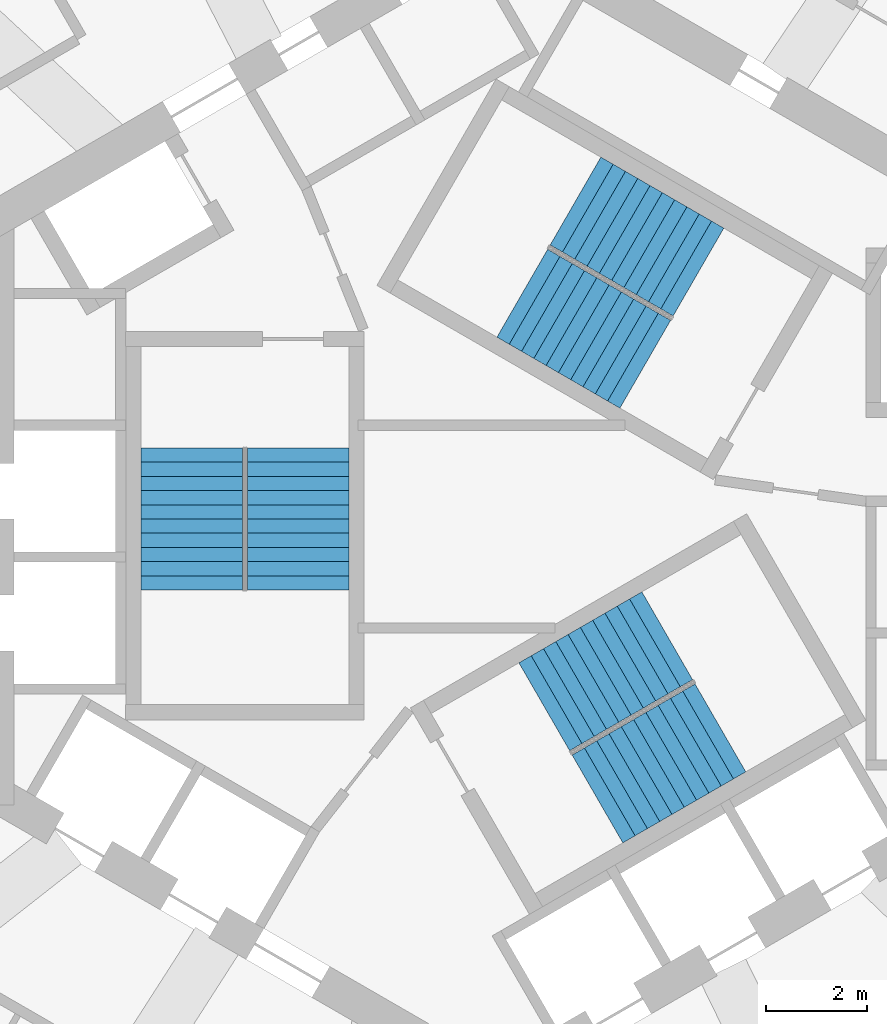
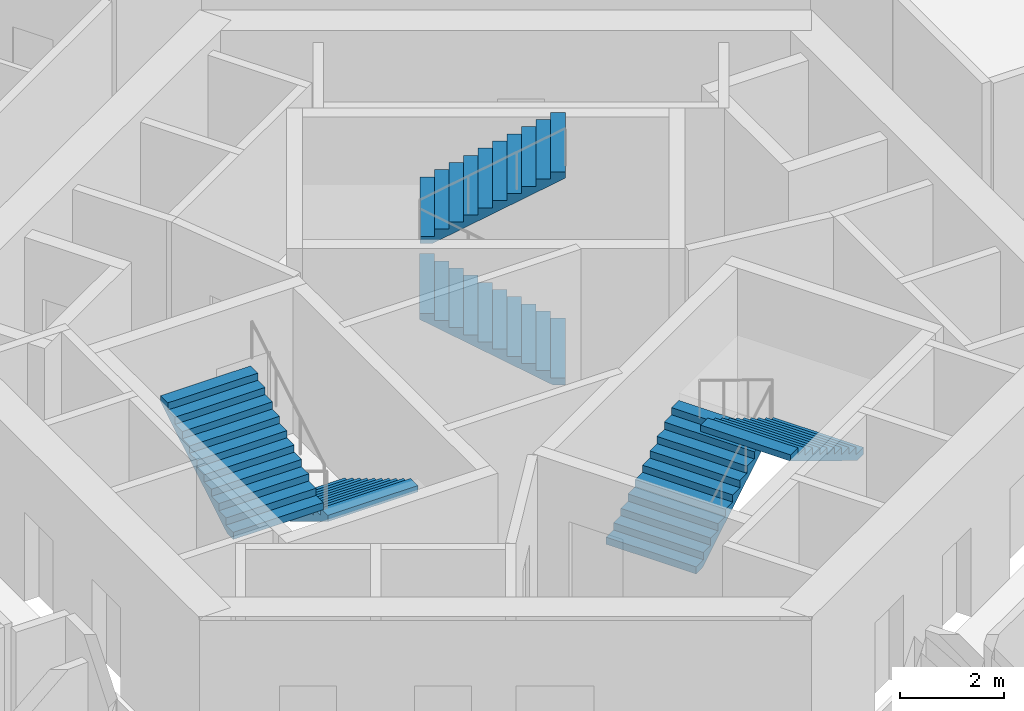
# One storey, part 9 of 11: 6 stair flights, 3 elements without a shape of their own.
"""IFC4 building model written with IfcOpenShell, lengths in metres."""

from ifc_helpers import new_model, si_unit, direction, frame, origin, place, context, subcontext, project, spatial, triangles, source, transform, mapped, material, type_object, element, aggregate, save


model = new_model("IFC4")

# Units and contexts
model_context = context("Model", 3, precision=1e-05, world=origin(), true_north=direction((0.0, 1.0)))
body_context = subcontext(model_context, "Body", "Model", "MODEL_VIEW")
ifc_project = project(units=[si_unit("LENGTHUNIT", "METRE"), si_unit("AREAUNIT", "SQUARE_METRE"), si_unit("VOLUMEUNIT", "CUBIC_METRE"), si_unit("PLANEANGLEUNIT", "RADIAN"), si_unit("MASSUNIT", "GRAM", prefix="KILO")], contexts=[model_context])

# Site, building, storey
site_placement = place(None, origin())
site = spatial("IfcSite", under=ifc_project, at=site_placement, CompositionType="ELEMENT")
building_placement = place(site_placement, origin())
building = spatial("IfcBuilding", under=site, at=building_placement, Name="Vanh Sen Convention Tower", CompositionType="ELEMENT")
storey_placement = place(building_placement, frame((0.0, 0.0, 270.89990234375)))
storey = spatial("IfcBuildingStorey", under=building, at=storey_placement, Name="L67", CompositionType="ELEMENT", Elevation=270.89990234375)

# Stair, stair flights
ifc_material_1 = material(Name="Concrete C50/60", Category="concrete")
stair_type_1 = type_object("IfcStairType", Name="Exit stair ST1 22 risers at 168.2", PredefinedType="HALF_TURN_STAIR", material=ifc_material_1)
stair_1_placement = place(storey_placement, origin())
stair_1 = element("IfcStair", 1, at=stair_1_placement, inside=storey, type_object=stair_type_1, Name="Exit stair ST1 L67", PredefinedType="HALF_TURN_STAIR")
ifc_material_2 = material(Name="Concrete C40/50", Category="concrete")
stair_flight_type = type_object("IfcStairFlightType", Name="Stair flight 2000", PredefinedType="STRAIGHT", material=ifc_material_2)
shared_shape = source(origin(), body_context, "Body", "Tessellation", [
    triangles([(0.24267578125, 1.0, 0.0), (0.0, 1.0, 0.0), (0.0, 1.0, 0.168212890625), (0.280029296875, 1.0, 0.168212890625), (0.280029296875, 1.0, 0.33642578125), (0.56005859375, 1.0, 0.33642578125), (0.56005859375, 1.0, 0.504638671875), (0.840087890625, 1.0, 0.504638671875), (0.840087890625, 1.0, 0.672607421875), (1.1201171875, 1.0, 0.672607421875), (1.1201171875, 1.0, 0.8408203125), (1.39990234375, 1.0, 0.8408203125), (1.39990234375, 1.0, 1.009033203125), (1.679931640625, 1.0, 1.009033203125), (1.679931640625, 1.0, 1.17724609375), (1.9599609375, 1.0, 1.17724609375), (1.9599609375, 1.0, 1.345458984375), (2.239990234375, 1.0, 1.345458984375), (2.239990234375, 1.0, 1.513671875), (2.52001953125, 1.0, 1.513671875), (2.52001953125, 1.0, 1.681884765625), (2.800048828125, 1.0, 1.681884765625), (2.800048828125, 1.0, 1.535888671875), (0.24267578125, -1.0, 0.0), (0.0, -1.0, 0.0), (0.0, -1.0, 0.168212890625), (0.280029296875, -1.0, 0.168212890625), (0.280029296875, -1.0, 0.33642578125), (0.56005859375, -1.0, 0.33642578125), (0.56005859375, -1.0, 0.504638671875), (0.840087890625, -1.0, 0.504638671875), (0.840087890625, -1.0, 0.672607421875), (1.1201171875, -1.0, 0.672607421875), (1.1201171875, -1.0, 0.8408203125), (1.39990234375, -1.0, 0.8408203125), (1.39990234375, -1.0, 1.009033203125), (1.679931640625, -1.0, 1.009033203125), (1.679931640625, -1.0, 1.17724609375), (1.9599609375, -1.0, 1.17724609375), (1.9599609375, -1.0, 1.345458984375), (2.239990234375, -1.0, 1.345458984375), (2.239990234375, -1.0, 1.513671875), (2.52001953125, -1.0, 1.513671875), (2.52001953125, -1.0, 1.681884765625), (2.800048828125, -1.0, 1.681884765625), (2.800048828125, -1.0, 1.535888671875), (0.0, 0.0400390625, 0.0), (0.0, 0.0390625, 0.0), (0.0, 0.0380859375, 0.0), (0.0, 0.037109375, 0.0), (0.0, 0.035888671875, 0.0), (0.0, 0.034912109375, 0.0), (0.0, 0.033935546875, 0.0), (0.0, 0.032958984375, 0.0), (0.0, 0.031982421875, 0.0), (0.0, 0.031005859375, 0.0), (0.0, 0.030029296875, 0.0), (0.0, 0.029052734375, 0.0), (0.0, 0.028076171875, 0.0), (0.0, 0.027099609375, 0.0), (0.0, 0.02587890625, 0.0), (0.0, 0.02490234375, 0.0), (0.0, 0.02392578125, 0.0), (0.0, 0.02294921875, 0.0), (0.0, 0.02197265625, 0.0), (0.0, 0.02099609375, 0.0), (0.0, 0.02001953125, 0.0), (0.0, 0.01904296875, 0.0), (0.0, 0.01806640625, 0.0), (0.0, 0.01708984375, 0.0), (0.0, 0.01611328125, 0.0), (0.0, 0.014892578125, 0.0), (0.0, 0.013916015625, 0.0), (0.0, 0.012939453125, 0.0), (0.0, 0.011962890625, 0.0), (0.0, 0.010986328125, 0.0), (0.0, 0.010009765625, 0.0), (0.0, 0.009033203125, 0.0), (0.0, 0.008056640625, 0.0), (0.0, 0.007080078125, 0.0), (0.0, 0.006103515625, 0.0), (0.0, 0.0048828125, 0.0), (0.0, 0.00390625, 0.0), (0.0, 0.0029296875, 0.0), (0.0, 0.001953125, 0.0), (0.0, 0.0009765625, 0.0), (0.0, 0.0, 0.0), (0.0, -0.0009765625, 0.0), (0.0, -0.001953125, 0.0), (0.0, -0.0029296875, 0.0), (0.0, -0.00390625, 0.0), (0.0, -0.0048828125, 0.0), (0.0, -0.006103515625, 0.0), (0.0, -0.007080078125, 0.0), (0.0, -0.008056640625, 0.0), (0.0, -0.009033203125, 0.0), (0.0, -0.010009765625, 0.0), (0.0, -0.010986328125, 0.0), (0.0, -0.011962890625, 0.0), (0.0, -0.012939453125, 0.0), (0.0, -0.013916015625, 0.0), (0.0, -0.014892578125, 0.0), (0.0, -0.01611328125, 0.0), (0.0, -0.01708984375, 0.0), (0.0, -0.01806640625, 0.0), (0.0, -0.01904296875, 0.0), (0.0, -0.02001953125, 0.0), (0.0, -0.02099609375, 0.0), (0.0, -0.02197265625, 0.0), (0.0, -0.02294921875, 0.0), (0.0, -0.02392578125, 0.0), (0.0, -0.02490234375, 0.0), (0.0, -0.02587890625, 0.0), (0.0, -0.027099609375, 0.0), (0.0, -0.028076171875, 0.0), (0.0, -0.029052734375, 0.0), (0.0, -0.030029296875, 0.0), (0.0, -0.031005859375, 0.0), (0.0, -0.031982421875, 0.0), (0.0, -0.032958984375, 0.0), (0.0, -0.033935546875, 0.0), (0.0, -0.034912109375, 0.0), (0.0, -0.035888671875, 0.0), (0.0, -0.037109375, 0.0), (0.0, -0.0380859375, 0.0), (0.0, -0.0390625, 0.0), (0.0, -0.0400390625, 0.0), (0.0, 0.0400390625, 0.168212890625), (0.0, 0.0390625, 0.168212890625), (0.0, 0.0380859375, 0.168212890625), (0.0, 0.037109375, 0.168212890625), (0.0, 0.035888671875, 0.168212890625), (0.0, 0.034912109375, 0.168212890625), (0.0, 0.033935546875, 0.168212890625), (0.0, 0.032958984375, 0.168212890625), (0.0, 0.031982421875, 0.168212890625), (0.0, 0.031005859375, 0.168212890625), (0.0, 0.030029296875, 0.168212890625), (0.0, 0.029052734375, 0.168212890625), (0.0, 0.028076171875, 0.168212890625), (0.0, 0.027099609375, 0.168212890625), (0.0, 0.02587890625, 0.168212890625), (0.0, 0.02490234375, 0.168212890625), (0.0, 0.02392578125, 0.168212890625), (0.0, 0.02294921875, 0.168212890625), (0.0, 0.02197265625, 0.168212890625), (0.0, 0.02099609375, 0.168212890625), (0.0, 0.02001953125, 0.168212890625), (0.0, 0.01904296875, 0.168212890625), (0.0, 0.01806640625, 0.168212890625), (0.0, 0.01708984375, 0.168212890625), (0.0, 0.01611328125, 0.168212890625), (0.0, 0.014892578125, 0.168212890625), (0.0, 0.013916015625, 0.168212890625), (0.0, 0.012939453125, 0.168212890625), (0.0, 0.011962890625, 0.168212890625), (0.0, 0.010986328125, 0.168212890625), (0.0, 0.010009765625, 0.168212890625), (0.0, 0.009033203125, 0.168212890625), (0.0, 0.008056640625, 0.168212890625), (0.0, 0.007080078125, 0.168212890625), (0.0, 0.006103515625, 0.168212890625), (0.0, 0.0048828125, 0.168212890625), (0.0, 0.00390625, 0.168212890625), (0.0, 0.0029296875, 0.168212890625), (0.0, 0.001953125, 0.168212890625), (0.0, 0.0009765625, 0.168212890625), (0.0, 0.0, 0.168212890625), (0.0, -0.0009765625, 0.168212890625), (0.0, -0.001953125, 0.168212890625), (0.0, -0.0029296875, 0.168212890625), (0.0, -0.00390625, 0.168212890625), (0.0, -0.0048828125, 0.168212890625), (0.0, -0.006103515625, 0.168212890625), (0.0, -0.007080078125, 0.168212890625), (0.0, -0.008056640625, 0.168212890625), (0.0, -0.009033203125, 0.168212890625), (0.0, -0.010009765625, 0.168212890625), (0.0, -0.010986328125, 0.168212890625), (0.0, -0.011962890625, 0.168212890625), (0.0, -0.012939453125, 0.168212890625), (0.0, -0.013916015625, 0.168212890625), (0.0, -0.014892578125, 0.168212890625), (0.0, -0.01611328125, 0.168212890625), (0.0, -0.01708984375, 0.168212890625), (0.0, -0.01806640625, 0.168212890625), (0.0, -0.01904296875, 0.168212890625), (0.0, -0.02001953125, 0.168212890625), (0.0, -0.02099609375, 0.168212890625), (0.0, -0.02197265625, 0.168212890625), (0.0, -0.02294921875, 0.168212890625), (0.0, -0.02392578125, 0.168212890625), (0.0, -0.02490234375, 0.168212890625), (0.0, -0.02587890625, 0.168212890625), (0.0, -0.027099609375, 0.168212890625), (0.0, -0.028076171875, 0.168212890625), (0.0, -0.029052734375, 0.168212890625), (0.0, -0.030029296875, 0.168212890625), (0.0, -0.031005859375, 0.168212890625), (0.0, -0.031982421875, 0.168212890625), (0.0, -0.032958984375, 0.168212890625), (0.0, -0.033935546875, 0.168212890625), (0.0, -0.034912109375, 0.168212890625), (0.0, -0.035888671875, 0.168212890625), (0.0, -0.037109375, 0.168212890625), (0.0, -0.0380859375, 0.168212890625), (0.0, -0.0390625, 0.168212890625), (0.0, -0.0400390625, 0.168212890625), (0.280029296875, 0.0, 0.168212890625), (0.280029296875, 0.0, 0.33642578125), (0.56005859375, 0.0, 0.33642578125), (0.56005859375, 0.0, 0.504638671875), (0.840087890625, 0.0, 0.504638671875), (0.840087890625, 0.0, 0.672607421875), (1.1201171875, 0.0, 0.672607421875), (1.1201171875, 0.0, 0.8408203125), (1.39990234375, 0.0, 0.8408203125), (1.39990234375, 0.0, 1.009033203125), (1.679931640625, 0.0, 1.009033203125), (1.679931640625, 0.0, 1.17724609375), (1.9599609375, 0.0, 1.17724609375), (1.9599609375, 0.0, 1.345458984375), (2.239990234375, 0.0, 1.345458984375), (2.239990234375, 0.0, 1.513671875), (2.52001953125, 0.0, 1.513671875), (2.52001953125, 0.0, 1.681884765625), (2.800048828125, 0.0400390625, 1.681884765625), (2.800048828125, 0.0390625, 1.681884765625), (2.800048828125, 0.0380859375, 1.681884765625), (2.800048828125, 0.037109375, 1.681884765625), (2.800048828125, 0.035888671875, 1.681884765625), (2.800048828125, 0.034912109375, 1.681884765625), (2.800048828125, 0.033935546875, 1.681884765625), (2.800048828125, 0.032958984375, 1.681884765625), (2.800048828125, 0.031982421875, 1.681884765625), (2.800048828125, 0.031005859375, 1.681884765625), (2.800048828125, 0.030029296875, 1.681884765625), (2.800048828125, 0.029052734375, 1.681884765625), (2.800048828125, 0.028076171875, 1.681884765625), (2.800048828125, 0.027099609375, 1.681884765625), (2.800048828125, 0.02587890625, 1.681884765625), (2.800048828125, 0.02490234375, 1.681884765625), (2.800048828125, 0.02392578125, 1.681884765625), (2.800048828125, 0.02294921875, 1.681884765625), (2.800048828125, 0.02197265625, 1.681884765625), (2.800048828125, 0.02099609375, 1.681884765625), (2.800048828125, 0.02001953125, 1.681884765625), (2.800048828125, 0.01904296875, 1.681884765625), (2.800048828125, 0.01806640625, 1.681884765625), (2.800048828125, 0.01708984375, 1.681884765625), (2.800048828125, 0.01611328125, 1.681884765625), (2.800048828125, 0.014892578125, 1.681884765625), (2.800048828125, 0.013916015625, 1.681884765625), (2.800048828125, 0.012939453125, 1.681884765625), (2.800048828125, 0.011962890625, 1.681884765625), (2.800048828125, 0.010986328125, 1.681884765625), (2.800048828125, 0.010009765625, 1.681884765625), (2.800048828125, 0.009033203125, 1.681884765625), (2.800048828125, 0.008056640625, 1.681884765625), (2.800048828125, 0.007080078125, 1.681884765625), (2.800048828125, 0.006103515625, 1.681884765625), (2.800048828125, 0.0048828125, 1.681884765625), (2.800048828125, 0.00390625, 1.681884765625), (2.800048828125, 0.0029296875, 1.681884765625), (2.800048828125, 0.001953125, 1.681884765625), (2.800048828125, 0.0009765625, 1.681884765625), (2.800048828125, 0.0, 1.681884765625), (2.800048828125, -0.0009765625, 1.681884765625), (2.800048828125, -0.001953125, 1.681884765625), (2.800048828125, -0.0029296875, 1.681884765625), (2.800048828125, -0.00390625, 1.681884765625), (2.800048828125, -0.0048828125, 1.681884765625), (2.800048828125, -0.006103515625, 1.681884765625), (2.800048828125, -0.007080078125, 1.681884765625), (2.800048828125, -0.008056640625, 1.681884765625), (2.800048828125, -0.009033203125, 1.681884765625), (2.800048828125, -0.010009765625, 1.681884765625), (2.800048828125, -0.010986328125, 1.681884765625), (2.800048828125, -0.011962890625, 1.681884765625), (2.800048828125, -0.012939453125, 1.681884765625), (2.800048828125, -0.013916015625, 1.681884765625), (2.800048828125, -0.014892578125, 1.681884765625), (2.800048828125, -0.01611328125, 1.681884765625), (2.800048828125, -0.01708984375, 1.681884765625), (2.800048828125, -0.01806640625, 1.681884765625), (2.800048828125, -0.01904296875, 1.681884765625), (2.800048828125, -0.02001953125, 1.681884765625), (2.800048828125, -0.02099609375, 1.681884765625), (2.800048828125, -0.02197265625, 1.681884765625), (2.800048828125, -0.02294921875, 1.681884765625), (2.800048828125, -0.02392578125, 1.681884765625), (2.800048828125, -0.02490234375, 1.681884765625), (2.800048828125, -0.02587890625, 1.681884765625), (2.800048828125, -0.027099609375, 1.681884765625), (2.800048828125, -0.028076171875, 1.681884765625), (2.800048828125, -0.029052734375, 1.681884765625), (2.800048828125, -0.030029296875, 1.681884765625), (2.800048828125, -0.031005859375, 1.681884765625), (2.800048828125, -0.031982421875, 1.681884765625), (2.800048828125, -0.032958984375, 1.681884765625), (2.800048828125, -0.033935546875, 1.681884765625), (2.800048828125, -0.034912109375, 1.681884765625), (2.800048828125, -0.035888671875, 1.681884765625), (2.800048828125, -0.037109375, 1.681884765625), (2.800048828125, -0.0380859375, 1.681884765625), (2.800048828125, -0.0390625, 1.681884765625), (2.800048828125, -0.0400390625, 1.681884765625), (2.800048828125, 0.0400390625, 1.535888671875), (2.800048828125, 0.0390625, 1.535888671875), (2.800048828125, 0.0380859375, 1.535888671875), (2.800048828125, 0.037109375, 1.535888671875), (2.800048828125, 0.035888671875, 1.535888671875), (2.800048828125, 0.034912109375, 1.535888671875), (2.800048828125, 0.033935546875, 1.535888671875), (2.800048828125, 0.032958984375, 1.535888671875), (2.800048828125, 0.031982421875, 1.535888671875), (2.800048828125, 0.031005859375, 1.535888671875), (2.800048828125, 0.030029296875, 1.535888671875), (2.800048828125, 0.029052734375, 1.535888671875), (2.800048828125, 0.028076171875, 1.535888671875), (2.800048828125, 0.027099609375, 1.535888671875), (2.800048828125, 0.02587890625, 1.535888671875), (2.800048828125, 0.02490234375, 1.535888671875), (2.800048828125, 0.02392578125, 1.535888671875), (2.800048828125, 0.02294921875, 1.535888671875), (2.800048828125, 0.02197265625, 1.535888671875), (2.800048828125, 0.02099609375, 1.535888671875), (2.800048828125, 0.02001953125, 1.535888671875), (2.800048828125, 0.01904296875, 1.535888671875), (2.800048828125, 0.01806640625, 1.535888671875), (2.800048828125, 0.01708984375, 1.535888671875), (2.800048828125, 0.01611328125, 1.535888671875), (2.800048828125, 0.014892578125, 1.535888671875), (2.800048828125, 0.013916015625, 1.535888671875), (2.800048828125, 0.012939453125, 1.535888671875), (2.800048828125, 0.011962890625, 1.535888671875), (2.800048828125, 0.010986328125, 1.535888671875), (2.800048828125, 0.010009765625, 1.535888671875), (2.800048828125, 0.009033203125, 1.535888671875), (2.800048828125, 0.008056640625, 1.535888671875), (2.800048828125, 0.007080078125, 1.535888671875), (2.800048828125, 0.006103515625, 1.535888671875), (2.800048828125, 0.0048828125, 1.535888671875), (2.800048828125, 0.00390625, 1.535888671875), (2.800048828125, 0.0029296875, 1.535888671875), (2.800048828125, 0.001953125, 1.535888671875), (2.800048828125, 0.0009765625, 1.535888671875), (2.800048828125, 0.0, 1.535888671875), (2.800048828125, -0.0009765625, 1.535888671875), (2.800048828125, -0.001953125, 1.535888671875), (2.800048828125, -0.0029296875, 1.535888671875), (2.800048828125, -0.00390625, 1.535888671875), (2.800048828125, -0.0048828125, 1.535888671875), (2.800048828125, -0.006103515625, 1.535888671875), (2.800048828125, -0.007080078125, 1.535888671875), (2.800048828125, -0.008056640625, 1.535888671875), (2.800048828125, -0.009033203125, 1.535888671875), (2.800048828125, -0.010009765625, 1.535888671875), (2.800048828125, -0.010986328125, 1.535888671875), (2.800048828125, -0.011962890625, 1.535888671875), (2.800048828125, -0.012939453125, 1.535888671875), (2.800048828125, -0.013916015625, 1.535888671875), (2.800048828125, -0.014892578125, 1.535888671875), (2.800048828125, -0.01611328125, 1.535888671875), (2.800048828125, -0.01708984375, 1.535888671875), (2.800048828125, -0.01806640625, 1.535888671875), (2.800048828125, -0.01904296875, 1.535888671875), (2.800048828125, -0.02001953125, 1.535888671875), (2.800048828125, -0.02099609375, 1.535888671875), (2.800048828125, -0.02197265625, 1.535888671875), (2.800048828125, -0.02294921875, 1.535888671875), (2.800048828125, -0.02392578125, 1.535888671875), (2.800048828125, -0.02490234375, 1.535888671875), (2.800048828125, -0.02587890625, 1.535888671875), (2.800048828125, -0.027099609375, 1.535888671875), (2.800048828125, -0.028076171875, 1.535888671875), (2.800048828125, -0.029052734375, 1.535888671875), (2.800048828125, -0.030029296875, 1.535888671875), (2.800048828125, -0.031005859375, 1.535888671875), (2.800048828125, -0.031982421875, 1.535888671875), (2.800048828125, -0.032958984375, 1.535888671875), (2.800048828125, -0.033935546875, 1.535888671875), (2.800048828125, -0.034912109375, 1.535888671875), (2.800048828125, -0.035888671875, 1.535888671875), (2.800048828125, -0.037109375, 1.535888671875), (2.800048828125, -0.0380859375, 1.535888671875), (2.800048828125, -0.0390625, 1.535888671875), (2.800048828125, -0.0400390625, 1.535888671875), (0.24267578125, 0.0, 0.0)], [[1, 2, 3], [1, 3, 4], [4, 5, 6], [1, 4, 6], [6, 7, 8], [1, 6, 8], [8, 9, 10], [1, 8, 10], [10, 11, 12], [1, 10, 12], [12, 13, 14], [1, 12, 14], [14, 15, 16], [1, 14, 16], [16, 17, 18], [1, 16, 18], [18, 19, 20], [1, 18, 20], [20, 21, 22], [1, 20, 22], [22, 23, 1], [24, 26, 25], [24, 27, 26], [27, 29, 28], [24, 29, 27], [29, 31, 30], [24, 31, 29], [31, 33, 32], [24, 33, 31], [33, 35, 34], [24, 35, 33], [35, 37, 36], [24, 37, 35], [37, 39, 38], [24, 39, 37], [39, 41, 40], [24, 41, 39], [41, 43, 42], [24, 43, 41], [43, 45, 44], [24, 45, 43], [45, 24, 46], [2, 128, 3], [2, 47, 128], [47, 129, 128], [47, 48, 129], [48, 130, 129], [48, 49, 130], [49, 131, 130], [49, 50, 131], [50, 132, 131], [50, 51, 132], [51, 133, 132], [51, 52, 133], [52, 134, 133], [52, 53, 134], [53, 135, 134], [53, 54, 135], [54, 136, 135], [54, 55, 136], [55, 137, 136], [55, 56, 137], [56, 138, 137], [56, 57, 138], [57, 139, 138], [57, 58, 139], [58, 140, 139], [58, 59, 140], [59, 141, 140], [59, 60, 141], [60, 142, 141], [60, 61, 142], [61, 143, 142], [61, 62, 143], [62, 144, 143], [62, 63, 144], [63, 145, 144], [63, 64, 145], [64, 146, 145], [64, 65, 146], [65, 147, 146], [65, 66, 147], [66, 148, 147], [66, 67, 148], [67, 149, 148], [67, 68, 149], [68, 150, 149], [68, 69, 150], [69, 151, 150], [69, 70, 151], [70, 152, 151], [70, 71, 152], [71, 153, 152], [71, 72, 153], [72, 154, 153], [72, 73, 154], [73, 155, 154], [73, 74, 155], [74, 156, 155], [74, 75, 156], [75, 157, 156], [75, 76, 157], [76, 158, 157], [76, 77, 158], [77, 159, 158], [77, 78, 159], [78, 160, 159], [78, 79, 160], [79, 161, 160], [79, 80, 161], [80, 162, 161], [80, 81, 162], [81, 163, 162], [81, 82, 163], [82, 164, 163], [82, 83, 164], [83, 165, 164], [83, 84, 165], [84, 166, 165], [84, 85, 166], [85, 167, 166], [85, 86, 167], [86, 168, 167], [86, 87, 168], [87, 88, 168], [168, 88, 169], [88, 89, 169], [169, 89, 170], [89, 90, 170], [170, 90, 171], [90, 91, 171], [171, 91, 172], [91, 92, 172], [172, 92, 173], [92, 93, 173], [173, 93, 174], [93, 94, 174], [174, 94, 175], [94, 95, 175], [175, 95, 176], [95, 96, 176], [176, 96, 177], [96, 97, 177], [177, 97, 178], [97, 98, 178], [178, 98, 179], [98, 99, 179], [179, 99, 180], [99, 100, 180], [180, 100, 181], [100, 101, 181], [181, 101, 182], [101, 102, 182], [182, 102, 183], [102, 103, 183], [183, 103, 184], [103, 104, 184], [184, 104, 185], [104, 105, 185], [185, 105, 186], [105, 106, 186], [186, 106, 187], [106, 107, 187], [187, 107, 188], [107, 108, 188], [188, 108, 189], [108, 109, 189], [189, 109, 190], [109, 110, 190], [190, 110, 191], [110, 111, 191], [191, 111, 192], [111, 112, 192], [192, 112, 193], [112, 113, 193], [193, 113, 194], [113, 114, 194], [194, 114, 195], [114, 115, 195], [195, 115, 196], [115, 116, 196], [196, 116, 197], [116, 117, 197], [197, 117, 198], [117, 118, 198], [198, 118, 199], [118, 119, 199], [199, 119, 200], [119, 120, 200], [200, 120, 201], [120, 121, 201], [201, 121, 202], [121, 122, 202], [202, 122, 203], [122, 123, 203], [203, 123, 204], [123, 124, 204], [204, 124, 205], [124, 125, 205], [205, 125, 206], [125, 126, 206], [206, 126, 207], [126, 127, 207], [207, 127, 208], [127, 25, 208], [208, 25, 26], [4, 3, 128], [4, 128, 129], [4, 129, 130], [4, 130, 131], [4, 131, 132], [4, 132, 133], [4, 133, 134], [4, 134, 135], [4, 135, 136], [4, 136, 137], [4, 137, 138], [4, 138, 139], [4, 139, 140], [4, 140, 141], [4, 141, 142], [4, 142, 143], [4, 143, 144], [4, 144, 145], [4, 145, 146], [4, 146, 147], [4, 147, 148], [4, 148, 149], [4, 149, 150], [4, 150, 151], [4, 151, 152], [4, 152, 153], [4, 153, 154], [4, 154, 155], [4, 155, 156], [4, 156, 157], [4, 157, 158], [4, 158, 159], [4, 159, 160], [4, 160, 161], [4, 161, 162], [4, 162, 163], [4, 163, 164], [4, 164, 165], [4, 165, 166], [4, 166, 167], [4, 167, 168], [27, 168, 169], [27, 169, 170], [27, 170, 171], [27, 171, 172], [27, 172, 173], [27, 173, 174], [27, 174, 175], [27, 175, 176], [27, 176, 177], [27, 177, 178], [27, 178, 179], [27, 179, 180], [27, 180, 181], [27, 181, 182], [27, 182, 183], [27, 183, 184], [27, 184, 185], [27, 185, 186], [27, 186, 187], [27, 187, 188], [27, 188, 189], [27, 189, 190], [27, 190, 191], [27, 191, 192], [27, 192, 193], [27, 193, 194], [27, 194, 195], [27, 195, 196], [27, 196, 197], [27, 197, 198], [27, 198, 199], [27, 199, 200], [27, 200, 201], [27, 201, 202], [27, 202, 203], [27, 203, 204], [27, 204, 205], [27, 205, 206], [27, 206, 207], [27, 207, 208], [27, 208, 26], [4, 168, 209], [27, 209, 168], [4, 210, 5], [4, 209, 210], [209, 27, 210], [210, 27, 28], [5, 211, 6], [5, 210, 211], [210, 28, 211], [211, 28, 29], [6, 212, 7], [6, 211, 212], [211, 29, 212], [212, 29, 30], [7, 213, 8], [7, 212, 213], [212, 30, 213], [213, 30, 31], [8, 214, 9], [8, 213, 214], [213, 31, 214], [214, 31, 32], [9, 215, 10], [9, 214, 215], [214, 32, 215], [215, 32, 33], [10, 216, 11], [10, 215, 216], [215, 33, 216], [216, 33, 34], [11, 217, 12], [11, 216, 217], [216, 34, 217], [217, 34, 35], [12, 218, 13], [12, 217, 218], [217, 35, 218], [218, 35, 36], [13, 219, 14], [13, 218, 219], [218, 36, 219], [219, 36, 37], [14, 220, 15], [14, 219, 220], [219, 37, 220], [220, 37, 38], [15, 221, 16], [15, 220, 221], [220, 38, 221], [221, 38, 39], [16, 222, 17], [16, 221, 222], [221, 39, 222], [222, 39, 40], [17, 223, 18], [17, 222, 223], [222, 40, 223], [223, 40, 41], [18, 224, 19], [18, 223, 224], [223, 41, 224], [224, 41, 42], [19, 225, 20], [19, 224, 225], [224, 42, 225], [225, 42, 43], [20, 226, 21], [20, 225, 226], [225, 43, 226], [226, 43, 44], [21, 227, 22], [21, 228, 227], [21, 229, 228], [21, 230, 229], [21, 231, 230], [21, 232, 231], [21, 233, 232], [21, 234, 233], [21, 235, 234], [21, 236, 235], [21, 237, 236], [21, 238, 237], [21, 239, 238], [21, 240, 239], [21, 241, 240], [21, 242, 241], [21, 243, 242], [21, 244, 243], [21, 245, 244], [21, 246, 245], [21, 247, 246], [21, 248, 247], [21, 249, 248], [21, 250, 249], [21, 251, 250], [21, 252, 251], [21, 253, 252], [21, 254, 253], [21, 255, 254], [21, 256, 255], [21, 257, 256], [21, 258, 257], [21, 259, 258], [21, 260, 259], [21, 261, 260], [21, 262, 261], [21, 263, 262], [21, 264, 263], [21, 265, 264], [21, 266, 265], [21, 267, 266], [44, 268, 267], [44, 269, 268], [44, 270, 269], [44, 271, 270], [44, 272, 271], [44, 273, 272], [44, 274, 273], [44, 275, 274], [44, 276, 275], [44, 277, 276], [44, 278, 277], [44, 279, 278], [44, 280, 279], [44, 281, 280], [44, 282, 281], [44, 283, 282], [44, 284, 283], [44, 285, 284], [44, 286, 285], [44, 287, 286], [44, 288, 287], [44, 289, 288], [44, 290, 289], [44, 291, 290], [44, 292, 291], [44, 293, 292], [44, 294, 293], [44, 295, 294], [44, 296, 295], [44, 297, 296], [44, 298, 297], [44, 299, 298], [44, 300, 299], [44, 301, 300], [44, 302, 301], [44, 303, 302], [44, 304, 303], [44, 305, 304], [44, 306, 305], [44, 307, 306], [44, 45, 307], [21, 226, 267], [44, 267, 226], [22, 308, 23], [22, 227, 308], [227, 309, 308], [227, 228, 309], [228, 310, 309], [228, 229, 310], [229, 311, 310], [229, 230, 311], [230, 312, 311], [230, 231, 312], [231, 313, 312], [231, 232, 313], [232, 314, 313], [232, 233, 314], [233, 315, 314], [233, 234, 315], [234, 316, 315], [234, 235, 316], [235, 317, 316], [235, 236, 317], [236, 318, 317], [236, 237, 318], [237, 319, 318], [237, 238, 319], [238, 320, 319], [238, 239, 320], [239, 321, 320], [239, 240, 321], [240, 322, 321], [240, 241, 322], [241, 323, 322], [241, 242, 323], [242, 324, 323], [242, 243, 324], [243, 325, 324], [243, 244, 325], [244, 326, 325], [244, 245, 326], [245, 327, 326], [245, 246, 327], [246, 328, 327], [246, 247, 328], [247, 329, 328], [247, 248, 329], [248, 330, 329], [248, 249, 330], [249, 331, 330], [249, 250, 331], [250, 332, 331], [250, 251, 332], [251, 333, 332], [251, 252, 333], [252, 334, 333], [252, 253, 334], [253, 335, 334], [253, 254, 335], [254, 336, 335], [254, 255, 336], [255, 337, 336], [255, 256, 337], [256, 338, 337], [256, 257, 338], [257, 339, 338], [257, 258, 339], [258, 340, 339], [258, 259, 340], [259, 341, 340], [259, 260, 341], [260, 342, 341], [260, 261, 342], [261, 343, 342], [261, 262, 343], [262, 344, 343], [262, 263, 344], [263, 345, 344], [263, 264, 345], [264, 346, 345], [264, 265, 346], [265, 347, 346], [265, 266, 347], [266, 348, 347], [266, 267, 348], [267, 268, 348], [348, 268, 349], [268, 269, 349], [349, 269, 350], [269, 270, 350], [350, 270, 351], [270, 271, 351], [351, 271, 352], [271, 272, 352], [352, 272, 353], [272, 273, 353], [353, 273, 354], [273, 274, 354], [354, 274, 355], [274, 275, 355], [355, 275, 356], [275, 276, 356], [356, 276, 357], [276, 277, 357], [357, 277, 358], [277, 278, 358], [358, 278, 359], [278, 279, 359], [359, 279, 360], [279, 280, 360], [360, 280, 361], [280, 281, 361], [361, 281, 362], [281, 282, 362], [362, 282, 363], [282, 283, 363], [363, 283, 364], [283, 284, 364], [364, 284, 365], [284, 285, 365], [365, 285, 366], [285, 286, 366], [366, 286, 367], [286, 287, 367], [367, 287, 368], [287, 288, 368], [368, 288, 369], [288, 289, 369], [369, 289, 370], [289, 290, 370], [370, 290, 371], [290, 291, 371], [371, 291, 372], [291, 292, 372], [372, 292, 373], [292, 293, 373], [373, 293, 374], [293, 294, 374], [374, 294, 375], [294, 295, 375], [375, 295, 376], [295, 296, 376], [376, 296, 377], [296, 297, 377], [377, 297, 378], [297, 298, 378], [378, 298, 379], [298, 299, 379], [379, 299, 380], [299, 300, 380], [380, 300, 381], [300, 301, 381], [381, 301, 382], [301, 302, 382], [382, 302, 383], [302, 303, 383], [383, 303, 384], [303, 304, 384], [384, 304, 385], [304, 305, 385], [385, 305, 386], [305, 306, 386], [386, 306, 387], [306, 307, 387], [387, 307, 388], [307, 45, 388], [388, 45, 46], [1, 23, 308], [1, 308, 309], [1, 309, 310], [1, 310, 311], [1, 311, 312], [1, 312, 313], [1, 313, 314], [1, 314, 315], [1, 315, 316], [1, 316, 317], [1, 317, 318], [1, 318, 319], [1, 319, 320], [1, 320, 321], [1, 321, 322], [1, 322, 323], [1, 323, 324], [1, 324, 325], [1, 325, 326], [1, 326, 327], [1, 327, 328], [1, 328, 329], [1, 329, 330], [1, 330, 331], [1, 331, 332], [1, 332, 333], [1, 333, 334], [1, 334, 335], [1, 335, 336], [1, 336, 337], [1, 337, 338], [1, 338, 339], [1, 339, 340], [1, 340, 341], [1, 341, 342], [1, 342, 343], [1, 343, 344], [1, 344, 345], [1, 345, 346], [1, 346, 347], [1, 347, 348], [24, 348, 349], [24, 349, 350], [24, 350, 351], [24, 351, 352], [24, 352, 353], [24, 353, 354], [24, 354, 355], [24, 355, 356], [24, 356, 357], [24, 357, 358], [24, 358, 359], [24, 359, 360], [24, 360, 361], [24, 361, 362], [24, 362, 363], [24, 363, 364], [24, 364, 365], [24, 365, 366], [24, 366, 367], [24, 367, 368], [24, 368, 369], [24, 369, 370], [24, 370, 371], [24, 371, 372], [24, 372, 373], [24, 373, 374], [24, 374, 375], [24, 375, 376], [24, 376, 377], [24, 377, 378], [24, 378, 379], [24, 379, 380], [24, 380, 381], [24, 381, 382], [24, 382, 383], [24, 383, 384], [24, 384, 385], [24, 385, 386], [24, 386, 387], [24, 387, 388], [24, 388, 46], [1, 348, 389], [24, 389, 348], [1, 47, 2], [1, 48, 47], [1, 49, 48], [1, 50, 49], [1, 51, 50], [1, 52, 51], [1, 53, 52], [1, 54, 53], [1, 55, 54], [1, 56, 55], [1, 57, 56], [1, 58, 57], [1, 59, 58], [1, 60, 59], [1, 61, 60], [1, 62, 61], [1, 63, 62], [1, 64, 63], [1, 65, 64], [1, 66, 65], [1, 67, 66], [1, 68, 67], [1, 69, 68], [1, 70, 69], [1, 71, 70], [1, 72, 71], [1, 73, 72], [1, 74, 73], [1, 75, 74], [1, 76, 75], [1, 77, 76], [1, 78, 77], [1, 79, 78], [1, 80, 79], [1, 81, 80], [1, 82, 81], [1, 83, 82], [1, 84, 83], [1, 85, 84], [1, 86, 85], [1, 87, 86], [24, 88, 87], [24, 89, 88], [24, 90, 89], [24, 91, 90], [24, 92, 91], [24, 93, 92], [24, 94, 93], [24, 95, 94], [24, 96, 95], [24, 97, 96], [24, 98, 97], [24, 99, 98], [24, 100, 99], [24, 101, 100], [24, 102, 101], [24, 103, 102], [24, 104, 103], [24, 105, 104], [24, 106, 105], [24, 107, 106], [24, 108, 107], [24, 109, 108], [24, 110, 109], [24, 111, 110], [24, 112, 111], [24, 113, 112], [24, 114, 113], [24, 115, 114], [24, 116, 115], [24, 117, 116], [24, 118, 117], [24, 119, 118], [24, 120, 119], [24, 121, 120], [24, 122, 121], [24, 123, 122], [24, 124, 123], [24, 125, 124], [24, 126, 125], [24, 127, 126], [24, 25, 127], [1, 389, 87], [24, 87, 389]], closed=True),
])
stair_flight_1_placement = place(storey_placement, frame((2.94580078125, 2.802490234375, 0.0), z_axis=(0.0, 0.0, 1.0), x_axis=(-0.866025403784, 0.5, 0.0)))
stair_flight_1 = element("IfcStairFlight", 2, at=stair_flight_1_placement, type_object=stair_flight_type, Name="ST1 flight 1", NumberOfRisers=11, NumberOfTreads=10, PredefinedType="STRAIGHT", RiserHeight=0.168181818, TreadLength=0.28, context=body_context, shape_type="MappedRepresentation", body=[
    mapped(shared_shape, transform((0.0, 0.0, 0.0))),
])
stair_flight_2_placement = place(storey_placement, frame((1.571044921875, 6.021240234375, 1.85009765625), z_axis=(0.0, 0.0, 1.0), x_axis=(0.866025403784, -0.5, 0.0)))
stair_flight_2 = element("IfcStairFlight", 3, at=stair_flight_2_placement, type_object=stair_flight_type, Name="ST1 flight 2", NumberOfRisers=11, NumberOfTreads=10, PredefinedType="STRAIGHT", RiserHeight=0.168181818, TreadLength=0.28, context=body_context, shape_type="MappedRepresentation", body=[
    mapped(shared_shape, transform((0.0, 0.0, 0.0))),
])
aggregate(stair_1, [stair_flight_1, stair_flight_2])

stair_type_2 = type_object("IfcStairType", Name="Exit stair ST2 22 risers at 168.2", PredefinedType="HALF_TURN_STAIR", material=ifc_material_1)
stair_2_placement = place(storey_placement, origin())
stair_2 = element("IfcStair", 4, at=stair_2_placement, inside=storey, type_object=stair_type_2, Name="Exit stair ST2 L67", PredefinedType="HALF_TURN_STAIR")
stair_flight_3_placement = place(storey_placement, frame((-3.89990234375, 1.14990234375, 0.0), z_axis=(0.0, 0.0, 1.0), x_axis=(0.0, -1.0, 0.0)))
stair_flight_3 = element("IfcStairFlight", 5, at=stair_flight_3_placement, type_object=stair_flight_type, Name="ST2 flight 1", NumberOfRisers=11, NumberOfTreads=10, PredefinedType="STRAIGHT", RiserHeight=0.168181818, TreadLength=0.28, context=body_context, shape_type="MappedRepresentation", body=[
    mapped(shared_shape, transform((0.0, 0.0, 0.0))),
])
stair_flight_4_placement = place(storey_placement, frame((-6.0, -1.64990234375, 1.85009765625), z_axis=(0.0, 0.0, 1.0), x_axis=(0.0, 1.0, 0.0)))
stair_flight_4 = element("IfcStairFlight", 6, at=stair_flight_4_placement, type_object=stair_flight_type, Name="ST2 flight 2", NumberOfRisers=11, NumberOfTreads=10, PredefinedType="STRAIGHT", RiserHeight=0.168181818, TreadLength=0.28, context=body_context, shape_type="MappedRepresentation", body=[
    mapped(shared_shape, transform((0.0, 0.0, 0.0))),
])
aggregate(stair_2, [stair_flight_3, stair_flight_4])

stair_type_3 = type_object("IfcStairType", Name="Exit stair ST3 22 risers at 168.2", PredefinedType="HALF_TURN_STAIR", material=ifc_material_1)
stair_3_placement = place(storey_placement, origin())
stair_3 = element("IfcStair", 7, at=stair_3_placement, inside=storey, type_object=stair_type_3, Name="Exit stair ST3 L67", PredefinedType="HALF_TURN_STAIR")
stair_flight_5_placement = place(storey_placement, frame((0.9541015625, -3.952392578125, 0.0), z_axis=(0.0, 0.0, 1.0), x_axis=(0.866025403784, 0.5, 0.0)))
stair_flight_5 = element("IfcStairFlight", 8, at=stair_flight_5_placement, type_object=stair_flight_type, Name="ST3 flight 1", NumberOfRisers=11, NumberOfTreads=10, PredefinedType="STRAIGHT", RiserHeight=0.168181818, TreadLength=0.28, context=body_context, shape_type="MappedRepresentation", body=[
    mapped(shared_shape, transform((0.0, 0.0, 0.0))),
])
stair_flight_6_placement = place(storey_placement, frame((4.428955078125, -4.37109375, 1.85009765625), z_axis=(0.0, 0.0, 1.0), x_axis=(-0.866025403784, -0.5, 0.0)))
stair_flight_6 = element("IfcStairFlight", 9, at=stair_flight_6_placement, type_object=stair_flight_type, Name="ST3 flight 2", NumberOfRisers=11, NumberOfTreads=10, PredefinedType="STRAIGHT", RiserHeight=0.168181818, TreadLength=0.28, context=body_context, shape_type="MappedRepresentation", body=[
    mapped(shared_shape, transform((0.0, 0.0, 0.0))),
])
aggregate(stair_3, [stair_flight_5, stair_flight_6])

save(model, "model.ifc")
